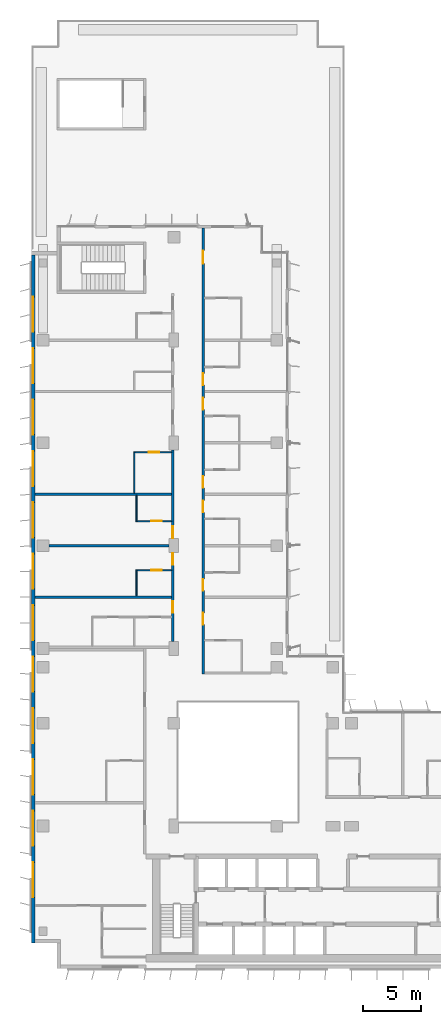
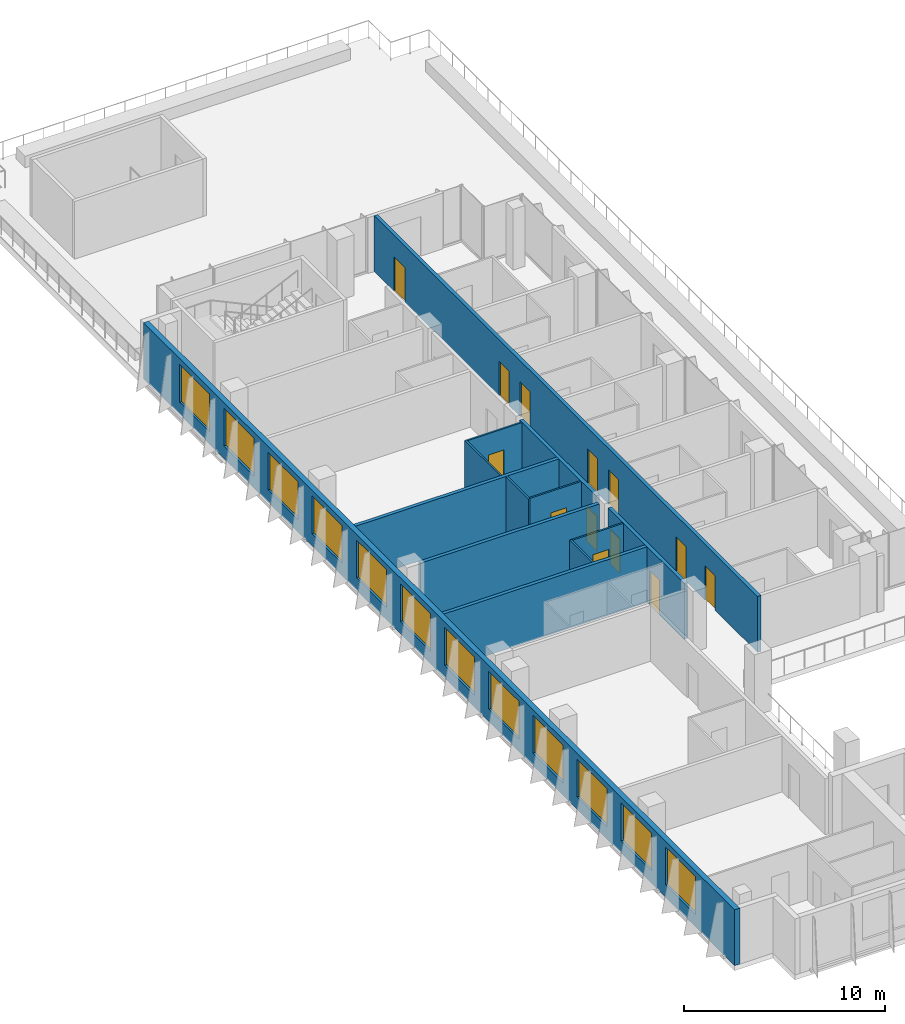
# One storey, part 15 of 22: 13 doors, 13 walls, 12 windows, 25 openings.
"""IFC4 building model written with IfcOpenShell, lengths in metres."""

from ifc_helpers import new_model, si_unit, direction, frame, frame_2d, origin, place, context, subcontext, project, spatial, rectangle, extrude, material, layer, layer_set, type_object, element, fill, save


model = new_model("IFC4")

# Units and contexts
model_context = context("Model", 3, precision=1e-05, world=origin(), true_north=direction((0.0, 1.0)))
body_context = subcontext(model_context, "Body", "Model", "MODEL_VIEW")
ifc_project = project(units=[si_unit("LENGTHUNIT", "METRE"), si_unit("AREAUNIT", "SQUARE_METRE"), si_unit("VOLUMEUNIT", "CUBIC_METRE"), si_unit("PLANEANGLEUNIT", "RADIAN"), si_unit("MASSUNIT", "GRAM", prefix="KILO")], contexts=[model_context])

# Site, building, storey
site_placement = place(None, origin())
site = spatial("IfcSite", under=ifc_project, at=site_placement, CompositionType="ELEMENT")
building_placement = place(site_placement, origin())
building = spatial("IfcBuilding", under=site, at=building_placement, Name="Kemantara Hotel Tower", CompositionType="ELEMENT")
storey_placement = place(building_placement, frame((0.0, 0.0, 153.10009765625)))
storey = spatial("IfcBuildingStorey", under=building, at=storey_placement, Name="L37", CompositionType="ELEMENT", Elevation=153.10009765625)

# Wall, openings, windows
ifc_material_1 = material(Name="Bronze anodised aluminium cladding on insulated steel stud wall", Category="steel")
ifc_layer_1 = layer(ifc_material_1, 0.300048828125)
ifc_layer_set_1 = layer_set([ifc_layer_1], Name="Bronze anodised aluminium cladding on insulated steel stud wall")
wall_type_1 = type_object("IfcWallType", Name="BRONZE METAL-CLAD EXTERNAL WALL 300", PredefinedType="STANDARD", material=ifc_layer_set_1)
wall_1_placement = place(storey_placement, frame((0.14990234375, 61.10009765625, 0.0), z_axis=(0.0, 0.0, 1.0), x_axis=(0.0, -1.0, 0.0)))
wall_1 = element("IfcWall", 1, at=wall_1_placement, inside=storey, type_object=wall_type_1, Name="EXTERNAL WALL L37 T3-R05", PredefinedType="STANDARD", context=body_context, shape_type="SweptSolid", body=[
    extrude(rectangle(XDim=58.900146484375, YDim=0.300048828125, at=frame_2d((29.4501953125, 0.0))), origin(), (0.0, 0.0, 1.0), 3.39990234375),
])
opening_1_placement = place(wall_1_placement, frame((3.60009765625, 0.0, 0.75)))
opening_1 = element("IfcOpeningElement", 2, at=opening_1_placement, cuts=wall_1, Name="Opening W1", PredefinedType="OPENING", context=body_context, shape_type="SweptSolid", body=[
    extrude(rectangle(XDim=3.0, YDim=2.300048828125, at=frame_2d((1.5, 1.14990234375))), frame((0.0, 0.159912109375, 0.0), z_axis=(0.0, -1.0, 0.0), x_axis=(1.0, 0.0, 0.0)), (0.0, 0.0, 1.0), 0.320068359375),
])
opening_2_placement = place(wall_1_placement, frame((8.0, 0.0, 0.75)))
opening_2 = element("IfcOpeningElement", 3, at=opening_2_placement, cuts=wall_1, Name="Opening W1", PredefinedType="OPENING", context=body_context, shape_type="SweptSolid", body=[
    extrude(rectangle(XDim=3.0, YDim=2.300048828125, at=frame_2d((1.5, 1.14990234375))), frame((0.0, 0.159912109375, 0.0), z_axis=(0.0, -1.0, 0.0), x_axis=(1.0, 0.0, 0.0)), (0.0, 0.0, 1.0), 0.320068359375),
])
opening_3_placement = place(wall_1_placement, frame((12.39990234375, 0.0, 0.75)))
opening_3 = element("IfcOpeningElement", 4, at=opening_3_placement, cuts=wall_1, Name="Opening W1", PredefinedType="OPENING", context=body_context, shape_type="SweptSolid", body=[
    extrude(rectangle(XDim=3.0, YDim=2.300048828125, at=frame_2d((1.5, 1.14990234375))), frame((0.0, 0.159912109375, 0.0), z_axis=(0.0, -1.0, 0.0), x_axis=(1.0, 0.0, 0.0)), (0.0, 0.0, 1.0), 0.320068359375),
])
opening_4_placement = place(wall_1_placement, frame((16.800048828125, 0.0, 0.75)))
opening_4 = element("IfcOpeningElement", 5, at=opening_4_placement, cuts=wall_1, Name="Opening W1", PredefinedType="OPENING", context=body_context, shape_type="SweptSolid", body=[
    extrude(rectangle(XDim=3.0, YDim=2.300048828125, at=frame_2d((1.5, 1.14990234375))), frame((0.0, 0.159912109375, 0.0), z_axis=(0.0, -1.0, 0.0), x_axis=(1.0, 0.0, 0.0)), (0.0, 0.0, 1.0), 0.320068359375),
])
opening_5_placement = place(wall_1_placement, frame((21.199951171875, 0.0, 0.75)))
opening_5 = element("IfcOpeningElement", 6, at=opening_5_placement, cuts=wall_1, Name="Opening W1", PredefinedType="OPENING", context=body_context, shape_type="SweptSolid", body=[
    extrude(rectangle(XDim=3.0, YDim=2.300048828125, at=frame_2d((1.5, 1.14990234375))), frame((0.0, 0.159912109375, 0.0), z_axis=(0.0, -1.0, 0.0), x_axis=(1.0, 0.0, 0.0)), (0.0, 0.0, 1.0), 0.320068359375),
])
opening_6_placement = place(wall_1_placement, frame((25.60009765625, 0.0, 0.75)))
opening_6 = element("IfcOpeningElement", 7, at=opening_6_placement, cuts=wall_1, Name="Opening W1", PredefinedType="OPENING", context=body_context, shape_type="SweptSolid", body=[
    extrude(rectangle(XDim=3.0, YDim=2.300048828125, at=frame_2d((1.5, 1.14990234375))), frame((0.0, 0.159912109375, 0.0), z_axis=(0.0, -1.0, 0.0), x_axis=(1.0, 0.0, 0.0)), (0.0, 0.0, 1.0), 0.320068359375),
])
opening_7_placement = place(wall_1_placement, frame((30.0, 0.0, 0.75)))
opening_7 = element("IfcOpeningElement", 8, at=opening_7_placement, cuts=wall_1, Name="Opening W1", PredefinedType="OPENING", context=body_context, shape_type="SweptSolid", body=[
    extrude(rectangle(XDim=3.0, YDim=2.300048828125, at=frame_2d((1.5, 1.14990234375))), frame((0.0, 0.159912109375, 0.0), z_axis=(0.0, -1.0, 0.0), x_axis=(1.0, 0.0, 0.0)), (0.0, 0.0, 1.0), 0.320068359375),
])
opening_8_placement = place(wall_1_placement, frame((34.39990234375, 0.0, 0.75)))
opening_8 = element("IfcOpeningElement", 9, at=opening_8_placement, cuts=wall_1, Name="Opening W1", PredefinedType="OPENING", context=body_context, shape_type="SweptSolid", body=[
    extrude(rectangle(XDim=3.0, YDim=2.300048828125, at=frame_2d((1.5, 1.14990234375))), frame((0.0, 0.159912109375, 0.0), z_axis=(0.0, -1.0, 0.0), x_axis=(1.0, 0.0, 0.0)), (0.0, 0.0, 1.0), 0.320068359375),
])
opening_9_placement = place(wall_1_placement, frame((38.800048828125, 0.0, 0.75)))
opening_9 = element("IfcOpeningElement", 10, at=opening_9_placement, cuts=wall_1, Name="Opening W1", PredefinedType="OPENING", context=body_context, shape_type="SweptSolid", body=[
    extrude(rectangle(XDim=3.0, YDim=2.300048828125, at=frame_2d((1.5, 1.14990234375))), frame((0.0, 0.159912109375, 0.0), z_axis=(0.0, -1.0, 0.0), x_axis=(1.0, 0.0, 0.0)), (0.0, 0.0, 1.0), 0.320068359375),
])
opening_10_placement = place(wall_1_placement, frame((43.199951171875, 0.0, 0.75)))
opening_10 = element("IfcOpeningElement", 11, at=opening_10_placement, cuts=wall_1, Name="Opening W1", PredefinedType="OPENING", context=body_context, shape_type="SweptSolid", body=[
    extrude(rectangle(XDim=3.0, YDim=2.300048828125, at=frame_2d((1.5, 1.14990234375))), frame((0.0, 0.159912109375, 0.0), z_axis=(0.0, -1.0, 0.0), x_axis=(1.0, 0.0, 0.0)), (0.0, 0.0, 1.0), 0.320068359375),
])
opening_11_placement = place(wall_1_placement, frame((47.60009765625, 0.0, 0.75)))
opening_11 = element("IfcOpeningElement", 12, at=opening_11_placement, cuts=wall_1, Name="Opening W1", PredefinedType="OPENING", context=body_context, shape_type="SweptSolid", body=[
    extrude(rectangle(XDim=3.0, YDim=2.300048828125, at=frame_2d((1.5, 1.14990234375))), frame((0.0, 0.159912109375, 0.0), z_axis=(0.0, -1.0, 0.0), x_axis=(1.0, 0.0, 0.0)), (0.0, 0.0, 1.0), 0.320068359375),
])
opening_12_placement = place(wall_1_placement, frame((52.0, 0.0, 0.75)))
opening_12 = element("IfcOpeningElement", 13, at=opening_12_placement, cuts=wall_1, Name="Opening W1", PredefinedType="OPENING", context=body_context, shape_type="SweptSolid", body=[
    extrude(rectangle(XDim=3.0, YDim=2.300048828125, at=frame_2d((1.5, 1.14990234375))), frame((0.0, 0.159912109375, 0.0), z_axis=(0.0, -1.0, 0.0), x_axis=(1.0, 0.0, 0.0)), (0.0, 0.0, 1.0), 0.320068359375),
])
ifc_material_2 = material(Name="Low-E tinted double insulated glass in bronze anodised aluminium frame", Category="aluminium")
window_type = type_object("IfcWindowType", Name="CHICAGO WINDOW, TRIPLE PANEL 3000x2300", PartitioningType="TRIPLE_PANEL_VERTICAL", PredefinedType="WINDOW", material=ifc_material_2)
window_1_placement = place(opening_1_placement, origin())
window_1 = element("IfcWindow", 14, at=window_1_placement, inside=storey, type_object=window_type, Name="CHICAGO WINDOW L37 T3-R05-54", OverallHeight=2.300048828125, OverallWidth=3.0, PartitioningType="SINGLE_PANEL", PredefinedType="WINDOW", context=body_context, shape_type="SweptSolid", body=[
    extrude(rectangle(XDim=3.0, YDim=2.300048828125, at=frame_2d((1.5, 1.14990234375))), frame((0.0, 0.030029296875, 0.0), z_axis=(0.0, -1.0, 0.0), x_axis=(1.0, 0.0, 0.0)), (0.0, 0.0, 1.0), 0.06005859375),
])
fill(opening_1, window_1)
window_2_placement = place(opening_2_placement, origin())
window_2 = element("IfcWindow", 15, at=window_2_placement, inside=storey, type_object=window_type, Name="CHICAGO WINDOW L37 T3-R05-98", OverallHeight=2.300048828125, OverallWidth=3.0, PartitioningType="SINGLE_PANEL", PredefinedType="WINDOW", context=body_context, shape_type="SweptSolid", body=[
    extrude(rectangle(XDim=3.0, YDim=2.300048828125, at=frame_2d((1.5, 1.14990234375))), frame((0.0, 0.030029296875, 0.0), z_axis=(0.0, -1.0, 0.0), x_axis=(1.0, 0.0, 0.0)), (0.0, 0.0, 1.0), 0.06005859375),
])
fill(opening_2, window_2)
window_3_placement = place(opening_3_placement, origin())
window_3 = element("IfcWindow", 16, at=window_3_placement, inside=storey, type_object=window_type, Name="CHICAGO WINDOW L37 T3-R05-142", OverallHeight=2.300048828125, OverallWidth=3.0, PartitioningType="SINGLE_PANEL", PredefinedType="WINDOW", context=body_context, shape_type="SweptSolid", body=[
    extrude(rectangle(XDim=3.0, YDim=2.300048828125, at=frame_2d((1.5, 1.14990234375))), frame((0.0, 0.030029296875, 0.0), z_axis=(0.0, -1.0, 0.0), x_axis=(1.0, 0.0, 0.0)), (0.0, 0.0, 1.0), 0.06005859375),
])
fill(opening_3, window_3)
window_4_placement = place(opening_4_placement, origin())
window_4 = element("IfcWindow", 17, at=window_4_placement, inside=storey, type_object=window_type, Name="CHICAGO WINDOW L37 T3-R05-186", OverallHeight=2.300048828125, OverallWidth=3.0, PartitioningType="SINGLE_PANEL", PredefinedType="WINDOW", context=body_context, shape_type="SweptSolid", body=[
    extrude(rectangle(XDim=3.0, YDim=2.300048828125, at=frame_2d((1.5, 1.14990234375))), frame((0.0, 0.030029296875, 0.0), z_axis=(0.0, -1.0, 0.0), x_axis=(1.0, 0.0, 0.0)), (0.0, 0.0, 1.0), 0.06005859375),
])
fill(opening_4, window_4)
window_5_placement = place(opening_5_placement, origin())
window_5 = element("IfcWindow", 18, at=window_5_placement, inside=storey, type_object=window_type, Name="CHICAGO WINDOW L37 T3-R05-230", OverallHeight=2.300048828125, OverallWidth=3.0, PartitioningType="SINGLE_PANEL", PredefinedType="WINDOW", context=body_context, shape_type="SweptSolid", body=[
    extrude(rectangle(XDim=3.0, YDim=2.300048828125, at=frame_2d((1.5, 1.14990234375))), frame((0.0, 0.030029296875, 0.0), z_axis=(0.0, -1.0, 0.0), x_axis=(1.0, 0.0, 0.0)), (0.0, 0.0, 1.0), 0.06005859375),
])
fill(opening_5, window_5)
window_6_placement = place(opening_6_placement, origin())
window_6 = element("IfcWindow", 19, at=window_6_placement, inside=storey, type_object=window_type, Name="CHICAGO WINDOW L37 T3-R05-274", OverallHeight=2.300048828125, OverallWidth=3.0, PartitioningType="SINGLE_PANEL", PredefinedType="WINDOW", context=body_context, shape_type="SweptSolid", body=[
    extrude(rectangle(XDim=3.0, YDim=2.300048828125, at=frame_2d((1.5, 1.14990234375))), frame((0.0, 0.030029296875, 0.0), z_axis=(0.0, -1.0, 0.0), x_axis=(1.0, 0.0, 0.0)), (0.0, 0.0, 1.0), 0.06005859375),
])
fill(opening_6, window_6)
window_7_placement = place(opening_7_placement, origin())
window_7 = element("IfcWindow", 20, at=window_7_placement, inside=storey, type_object=window_type, Name="CHICAGO WINDOW L37 T3-R05-318", OverallHeight=2.300048828125, OverallWidth=3.0, PartitioningType="SINGLE_PANEL", PredefinedType="WINDOW", context=body_context, shape_type="SweptSolid", body=[
    extrude(rectangle(XDim=3.0, YDim=2.300048828125, at=frame_2d((1.5, 1.14990234375))), frame((0.0, 0.030029296875, 0.0), z_axis=(0.0, -1.0, 0.0), x_axis=(1.0, 0.0, 0.0)), (0.0, 0.0, 1.0), 0.06005859375),
])
fill(opening_7, window_7)
window_8_placement = place(opening_8_placement, origin())
window_8 = element("IfcWindow", 21, at=window_8_placement, inside=storey, type_object=window_type, Name="CHICAGO WINDOW L37 T3-R05-362", OverallHeight=2.300048828125, OverallWidth=3.0, PartitioningType="SINGLE_PANEL", PredefinedType="WINDOW", context=body_context, shape_type="SweptSolid", body=[
    extrude(rectangle(XDim=3.0, YDim=2.300048828125, at=frame_2d((1.5, 1.14990234375))), frame((0.0, 0.030029296875, 0.0), z_axis=(0.0, -1.0, 0.0), x_axis=(1.0, 0.0, 0.0)), (0.0, 0.0, 1.0), 0.06005859375),
])
fill(opening_8, window_8)
window_9_placement = place(opening_9_placement, origin())
window_9 = element("IfcWindow", 22, at=window_9_placement, inside=storey, type_object=window_type, Name="CHICAGO WINDOW L37 T3-R05-406", OverallHeight=2.300048828125, OverallWidth=3.0, PartitioningType="SINGLE_PANEL", PredefinedType="WINDOW", context=body_context, shape_type="SweptSolid", body=[
    extrude(rectangle(XDim=3.0, YDim=2.300048828125, at=frame_2d((1.5, 1.14990234375))), frame((0.0, 0.030029296875, 0.0), z_axis=(0.0, -1.0, 0.0), x_axis=(1.0, 0.0, 0.0)), (0.0, 0.0, 1.0), 0.06005859375),
])
fill(opening_9, window_9)
window_10_placement = place(opening_10_placement, origin())
window_10 = element("IfcWindow", 23, at=window_10_placement, inside=storey, type_object=window_type, Name="CHICAGO WINDOW L37 T3-R05-450", OverallHeight=2.300048828125, OverallWidth=3.0, PartitioningType="SINGLE_PANEL", PredefinedType="WINDOW", context=body_context, shape_type="SweptSolid", body=[
    extrude(rectangle(XDim=3.0, YDim=2.300048828125, at=frame_2d((1.5, 1.14990234375))), frame((0.0, 0.030029296875, 0.0), z_axis=(0.0, -1.0, 0.0), x_axis=(1.0, 0.0, 0.0)), (0.0, 0.0, 1.0), 0.06005859375),
])
fill(opening_10, window_10)
window_11_placement = place(opening_11_placement, origin())
window_11 = element("IfcWindow", 24, at=window_11_placement, inside=storey, type_object=window_type, Name="CHICAGO WINDOW L37 T3-R05-494", OverallHeight=2.300048828125, OverallWidth=3.0, PartitioningType="SINGLE_PANEL", PredefinedType="WINDOW", context=body_context, shape_type="SweptSolid", body=[
    extrude(rectangle(XDim=3.0, YDim=2.300048828125, at=frame_2d((1.5, 1.14990234375))), frame((0.0, 0.030029296875, 0.0), z_axis=(0.0, -1.0, 0.0), x_axis=(1.0, 0.0, 0.0)), (0.0, 0.0, 1.0), 0.06005859375),
])
fill(opening_11, window_11)
window_12_placement = place(opening_12_placement, origin())
window_12 = element("IfcWindow", 25, at=window_12_placement, inside=storey, type_object=window_type, Name="CHICAGO WINDOW L37 T3-R05-538", OverallHeight=2.300048828125, OverallWidth=3.0, PartitioningType="SINGLE_PANEL", PredefinedType="WINDOW", context=body_context, shape_type="SweptSolid", body=[
    extrude(rectangle(XDim=3.0, YDim=2.300048828125, at=frame_2d((1.5, 1.14990234375))), frame((0.0, 0.030029296875, 0.0), z_axis=(0.0, -1.0, 0.0), x_axis=(1.0, 0.0, 0.0)), (0.0, 0.0, 1.0), 0.06005859375),
])
fill(opening_12, window_12)

# Wall, openings, doors
ifc_material_3 = material(Name="Gypsum board partition, steel studs and mineral wool, 200 mm", Category="steel")
ifc_layer_2 = layer(ifc_material_3, 0.199951171875)
ifc_layer_set_2 = layer_set([ifc_layer_2], Name="Gypsum board partition, steel studs and mineral wool, 200 mm")
wall_type_2 = type_object("IfcWallType", Name="CORRIDOR WALL 200", PredefinedType="PARTITIONING", material=ifc_layer_set_2)
wall_2_placement = place(storey_placement, frame((12.10009765625, 28.0, 0.0), z_axis=(0.0, 0.0, 1.0), x_axis=(0.0, 1.0, 0.0)))
wall_2 = element("IfcWall", 26, at=wall_2_placement, inside=storey, type_object=wall_type_2, Name="CORRIDOR WALL 200 017", PredefinedType="PARTITIONING", context=body_context, shape_type="SweptSolid", body=[
    extrude(rectangle(XDim=7.599853515625, YDim=0.199951171875, at=frame_2d((3.7998046875, 0.0))), origin(), (0.0, 0.0, 1.0), 3.39990234375),
])
opening_13_placement = place(wall_2_placement, frame((2.449951171875, 0.0, 0.0)))
opening_13 = element("IfcOpeningElement", 27, at=opening_13_placement, cuts=wall_2, Name="Opening F17-025", PredefinedType="OPENING", context=body_context, shape_type="SweptSolid", body=[
    extrude(rectangle(XDim=1.0, YDim=2.10009765625, at=frame_2d((0.5, 1.050048828125))), frame((0.0, 0.10986328125, 0.0), z_axis=(0.0, -1.0, 0.0), x_axis=(1.0, 0.0, 0.0)), (0.0, 0.0, 1.0), 0.219970703125),
])
opening_14_placement = place(wall_2_placement, frame((6.5498046875, 0.0, 0.0)))
opening_14 = element("IfcOpeningElement", 28, at=opening_14_placement, cuts=wall_2, Name="Opening F17-028", PredefinedType="OPENING", context=body_context, shape_type="SweptSolid", body=[
    extrude(rectangle(XDim=1.0, YDim=2.10009765625, at=frame_2d((0.5, 1.050048828125))), frame((0.0, 0.10986328125, 0.0), z_axis=(0.0, -1.0, 0.0), x_axis=(1.0, 0.0, 0.0)), (0.0, 0.0, 1.0), 0.219970703125),
])
ifc_material_4 = material(Name="Hardwood veneer door leaf with steel frame", Category="steel")
door_type_1 = type_object("IfcDoorType", Name="GUEST ROOM DOOR 1000 X 2100 FD30S", OperationType="NOTDEFINED", PredefinedType="DOOR", material=ifc_material_4)
door_1_placement = place(opening_13_placement, origin())
door_1 = element("IfcDoor", 29, at=door_1_placement, inside=storey, type_object=door_type_1, Name="GUEST ROOM DOOR F17-025", OperationType="SINGLE_SWING_RIGHT", OverallHeight=2.10009765625, OverallWidth=1.0, PredefinedType="DOOR", context=body_context, shape_type="SweptSolid", body=[
    extrude(rectangle(XDim=1.0, YDim=2.10009765625, at=frame_2d((0.5, 1.050048828125))), frame((0.0, 0.02490234375, 0.0), z_axis=(0.0, -1.0, 0.0), x_axis=(1.0, 0.0, 0.0)), (0.0, 0.0, 1.0), 0.050048828125),
])
fill(opening_13, door_1)
door_2_placement = place(opening_14_placement, origin())
door_2 = element("IfcDoor", 30, at=door_2_placement, inside=storey, type_object=door_type_1, Name="GUEST ROOM DOOR F17-028", OperationType="SINGLE_SWING_RIGHT", OverallHeight=2.10009765625, OverallWidth=1.0, PredefinedType="DOOR", context=body_context, shape_type="SweptSolid", body=[
    extrude(rectangle(XDim=1.0, YDim=2.10009765625, at=frame_2d((0.5, 1.050048828125))), frame((0.0, 0.02490234375, 0.0), z_axis=(0.0, -1.0, 0.0), x_axis=(1.0, 0.0, 0.0)), (0.0, 0.0, 1.0), 0.050048828125),
])
fill(opening_14, door_2)

# Wall, opening, door
wall_3_placement = place(storey_placement, frame((12.10009765625, 36.800048828125, 0.0), z_axis=(0.0, 0.0, 1.0), x_axis=(0.0, 1.0, 0.0)))
wall_3 = element("IfcWall", 31, at=wall_3_placement, inside=storey, type_object=wall_type_2, Name="CORRIDOR WALL 200 018", PredefinedType="PARTITIONING", context=body_context, shape_type="SweptSolid", body=[
    extrude(rectangle(XDim=7.599853515625, YDim=0.199951171875, at=frame_2d((3.7998046875, 0.0))), origin(), (0.0, 0.0, 1.0), 3.39990234375),
])
opening_15_placement = place(wall_3_placement, frame((0.0498046875, 0.0, 0.0)))
opening_15 = element("IfcOpeningElement", 32, at=opening_15_placement, cuts=wall_3, Name="Opening F17-030", PredefinedType="OPENING", context=body_context, shape_type="SweptSolid", body=[
    extrude(rectangle(XDim=1.0, YDim=2.10009765625, at=frame_2d((0.5, 1.050048828125))), frame((0.0, 0.10986328125, 0.0), z_axis=(0.0, -1.0, 0.0), x_axis=(1.0, 0.0, 0.0)), (0.0, 0.0, 1.0), 0.219970703125),
])
door_3_placement = place(opening_15_placement, origin())
door_3 = element("IfcDoor", 33, at=door_3_placement, inside=storey, type_object=door_type_1, Name="GUEST ROOM DOOR F17-030", OperationType="SINGLE_SWING_LEFT", OverallHeight=2.10009765625, OverallWidth=1.0, PredefinedType="DOOR", context=body_context, shape_type="SweptSolid", body=[
    extrude(rectangle(XDim=1.0, YDim=2.10009765625, at=frame_2d((0.5, 1.050048828125))), frame((0.0, 0.02490234375, 0.0), z_axis=(0.0, -1.0, 0.0), x_axis=(1.0, 0.0, 0.0)), (0.0, 0.0, 1.0), 0.050048828125),
])
fill(opening_15, door_3)

# Wall, openings, doors
wall_4_placement = place(storey_placement, frame((14.699951171875, 63.39990234375, 0.0), z_axis=(0.0, 0.0, 1.0), x_axis=(0.0, -1.0, 0.0)))
wall_4 = element("IfcWall", 34, at=wall_4_placement, inside=storey, type_object=wall_type_2, Name="CORRIDOR WALL 200 032", PredefinedType="PARTITIONING", context=body_context, shape_type="SweptSolid", body=[
    extrude(rectangle(XDim=38.199951171875, YDim=0.199951171875, at=frame_2d((19.10009765625, 0.0))), origin(), (0.0, 0.0, 1.0), 3.39990234375),
])
opening_16_placement = place(wall_4_placement, frame((32.949951171875, 0.0, 0.0)))
opening_16 = element("IfcOpeningElement", 35, at=opening_16_placement, cuts=wall_4, Name="Opening F17-038", PredefinedType="OPENING", context=body_context, shape_type="SweptSolid", body=[
    extrude(rectangle(XDim=1.0, YDim=2.10009765625, at=frame_2d((0.5, 1.050048828125))), frame((0.0, 0.10986328125, 0.0), z_axis=(0.0, -1.0, 0.0), x_axis=(1.0, 0.0, 0.0)), (0.0, 0.0, 1.0), 0.219970703125),
])
opening_17_placement = place(wall_4_placement, frame((30.0498046875, 0.0, 0.0)))
opening_17 = element("IfcOpeningElement", 36, at=opening_17_placement, cuts=wall_4, Name="Opening F17-040", PredefinedType="OPENING", context=body_context, shape_type="SweptSolid", body=[
    extrude(rectangle(XDim=1.0, YDim=2.10009765625, at=frame_2d((0.5, 1.050048828125))), frame((0.0, 0.10986328125, 0.0), z_axis=(0.0, -1.0, 0.0), x_axis=(1.0, 0.0, 0.0)), (0.0, 0.0, 1.0), 0.219970703125),
])
opening_18_placement = place(wall_4_placement, frame((23.349853515625, 0.0, 0.0)))
opening_18 = element("IfcOpeningElement", 37, at=opening_18_placement, cuts=wall_4, Name="Opening F17-042", PredefinedType="OPENING", context=body_context, shape_type="SweptSolid", body=[
    extrude(rectangle(XDim=1.0, YDim=2.10009765625, at=frame_2d((0.5, 1.050048828125))), frame((0.0, 0.10986328125, 0.0), z_axis=(0.0, -1.0, 0.0), x_axis=(1.0, 0.0, 0.0)), (0.0, 0.0, 1.0), 0.219970703125),
])
opening_19_placement = place(wall_4_placement, frame((21.25, 0.0, 0.0)))
opening_19 = element("IfcOpeningElement", 38, at=opening_19_placement, cuts=wall_4, Name="Opening F17-044", PredefinedType="OPENING", context=body_context, shape_type="SweptSolid", body=[
    extrude(rectangle(XDim=1.0, YDim=2.10009765625, at=frame_2d((0.5, 1.050048828125))), frame((0.0, 0.10986328125, 0.0), z_axis=(0.0, -1.0, 0.0), x_axis=(1.0, 0.0, 0.0)), (0.0, 0.0, 1.0), 0.219970703125),
])
opening_20_placement = place(wall_4_placement, frame((14.5498046875, 0.0, 0.0)))
opening_20 = element("IfcOpeningElement", 39, at=opening_20_placement, cuts=wall_4, Name="Opening F17-046", PredefinedType="OPENING", context=body_context, shape_type="SweptSolid", body=[
    extrude(rectangle(XDim=1.0, YDim=2.10009765625, at=frame_2d((0.5, 1.050048828125))), frame((0.0, 0.10986328125, 0.0), z_axis=(0.0, -1.0, 0.0), x_axis=(1.0, 0.0, 0.0)), (0.0, 0.0, 1.0), 0.219970703125),
])
opening_21_placement = place(wall_4_placement, frame((12.449951171875, 0.0, 0.0)))
opening_21 = element("IfcOpeningElement", 40, at=opening_21_placement, cuts=wall_4, Name="Opening F17-048", PredefinedType="OPENING", context=body_context, shape_type="SweptSolid", body=[
    extrude(rectangle(XDim=1.0, YDim=2.10009765625, at=frame_2d((0.5, 1.050048828125))), frame((0.0, 0.10986328125, 0.0), z_axis=(0.0, -1.0, 0.0), x_axis=(1.0, 0.0, 0.0)), (0.0, 0.0, 1.0), 0.219970703125),
])
opening_22_placement = place(wall_4_placement, frame((1.949951171875, 0.0, 0.0)))
opening_22 = element("IfcOpeningElement", 41, at=opening_22_placement, cuts=wall_4, Name="Opening F17-050", PredefinedType="OPENING", context=body_context, shape_type="SweptSolid", body=[
    extrude(rectangle(XDim=1.10009765625, YDim=2.10009765625, at=frame_2d((0.550048828125, 1.050048828125))), frame((0.0, 0.10986328125, 0.0), z_axis=(0.0, -1.0, 0.0), x_axis=(1.0, 0.0, 0.0)), (0.0, 0.0, 1.0), 0.219970703125),
])
door_4_placement = place(opening_16_placement, origin())
door_4 = element("IfcDoor", 42, at=door_4_placement, inside=storey, type_object=door_type_1, Name="GUEST ROOM DOOR F17-038", OperationType="SINGLE_SWING_LEFT", OverallHeight=2.10009765625, OverallWidth=1.0, PredefinedType="DOOR", context=body_context, shape_type="SweptSolid", body=[
    extrude(rectangle(XDim=1.0, YDim=2.10009765625, at=frame_2d((0.5, 1.050048828125))), frame((0.0, 0.02490234375, 0.0), z_axis=(0.0, -1.0, 0.0), x_axis=(1.0, 0.0, 0.0)), (0.0, 0.0, 1.0), 0.050048828125),
])
fill(opening_16, door_4)
door_5_placement = place(opening_17_placement, origin())
door_5 = element("IfcDoor", 43, at=door_5_placement, inside=storey, type_object=door_type_1, Name="GUEST ROOM DOOR F17-040", OperationType="SINGLE_SWING_RIGHT", OverallHeight=2.10009765625, OverallWidth=1.0, PredefinedType="DOOR", context=body_context, shape_type="SweptSolid", body=[
    extrude(rectangle(XDim=1.0, YDim=2.10009765625, at=frame_2d((0.5, 1.050048828125))), frame((0.0, 0.02490234375, 0.0), z_axis=(0.0, -1.0, 0.0), x_axis=(1.0, 0.0, 0.0)), (0.0, 0.0, 1.0), 0.050048828125),
])
fill(opening_17, door_5)
door_6_placement = place(opening_18_placement, origin())
door_6 = element("IfcDoor", 44, at=door_6_placement, inside=storey, type_object=door_type_1, Name="GUEST ROOM DOOR F17-042", OperationType="SINGLE_SWING_LEFT", OverallHeight=2.10009765625, OverallWidth=1.0, PredefinedType="DOOR", context=body_context, shape_type="SweptSolid", body=[
    extrude(rectangle(XDim=1.0, YDim=2.10009765625, at=frame_2d((0.5, 1.050048828125))), frame((0.0, 0.02490234375, 0.0), z_axis=(0.0, -1.0, 0.0), x_axis=(1.0, 0.0, 0.0)), (0.0, 0.0, 1.0), 0.050048828125),
])
fill(opening_18, door_6)
door_7_placement = place(opening_19_placement, origin())
door_7 = element("IfcDoor", 45, at=door_7_placement, inside=storey, type_object=door_type_1, Name="GUEST ROOM DOOR F17-044", OperationType="SINGLE_SWING_RIGHT", OverallHeight=2.10009765625, OverallWidth=1.0, PredefinedType="DOOR", context=body_context, shape_type="SweptSolid", body=[
    extrude(rectangle(XDim=1.0, YDim=2.10009765625, at=frame_2d((0.5, 1.050048828125))), frame((0.0, 0.02490234375, 0.0), z_axis=(0.0, -1.0, 0.0), x_axis=(1.0, 0.0, 0.0)), (0.0, 0.0, 1.0), 0.050048828125),
])
fill(opening_19, door_7)
door_8_placement = place(opening_20_placement, origin())
door_8 = element("IfcDoor", 46, at=door_8_placement, inside=storey, type_object=door_type_1, Name="GUEST ROOM DOOR F17-046", OperationType="SINGLE_SWING_LEFT", OverallHeight=2.10009765625, OverallWidth=1.0, PredefinedType="DOOR", context=body_context, shape_type="SweptSolid", body=[
    extrude(rectangle(XDim=1.0, YDim=2.10009765625, at=frame_2d((0.5, 1.050048828125))), frame((0.0, 0.02490234375, 0.0), z_axis=(0.0, -1.0, 0.0), x_axis=(1.0, 0.0, 0.0)), (0.0, 0.0, 1.0), 0.050048828125),
])
fill(opening_20, door_8)
door_9_placement = place(opening_21_placement, origin())
door_9 = element("IfcDoor", 47, at=door_9_placement, inside=storey, type_object=door_type_1, Name="GUEST ROOM DOOR F17-048", OperationType="SINGLE_SWING_RIGHT", OverallHeight=2.10009765625, OverallWidth=1.0, PredefinedType="DOOR", context=body_context, shape_type="SweptSolid", body=[
    extrude(rectangle(XDim=1.0, YDim=2.10009765625, at=frame_2d((0.5, 1.050048828125))), frame((0.0, 0.02490234375, 0.0), z_axis=(0.0, -1.0, 0.0), x_axis=(1.0, 0.0, 0.0)), (0.0, 0.0, 1.0), 0.050048828125),
])
fill(opening_21, door_9)
door_type_2 = type_object("IfcDoorType", Name="SUITE ENTRANCE DOOR 1100 X 2100 FD30S", OperationType="NOTDEFINED", PredefinedType="DOOR", material=ifc_material_4)
door_10_placement = place(opening_22_placement, origin())
door_10 = element("IfcDoor", 48, at=door_10_placement, inside=storey, type_object=door_type_2, Name="SUITE ENTRANCE DOOR F17-050", OperationType="SINGLE_SWING_LEFT", OverallHeight=2.10009765625, OverallWidth=1.10009765625, PredefinedType="DOOR", context=body_context, shape_type="SweptSolid", body=[
    extrude(rectangle(XDim=1.10009765625, YDim=2.10009765625, at=frame_2d((0.550048828125, 1.050048828125))), frame((0.0, 0.02490234375, 0.0), z_axis=(0.0, -1.0, 0.0), x_axis=(1.0, 0.0, 0.0)), (0.0, 0.0, 1.0), 0.050048828125),
])
fill(opening_22, door_10)

# Walls
ifc_layer_3 = layer(ifc_material_3, 0.199951171875)
ifc_layer_set_3 = layer_set([ifc_layer_3], Name="Gypsum board partition, steel studs and mineral wool, 200 mm")
wall_type_3 = type_object("IfcWallType", Name="GUEST ROOM PARTY WALL 200", PredefinedType="PARTITIONING", material=ifc_layer_set_3)
wall_5_placement = place(storey_placement, frame((0.31005859375, 31.800048828125, 0.0), z_axis=(0.0, 0.0, 1.0), x_axis=(1.0, 0.0, 0.0)))
element("IfcWall", 49, at=wall_5_placement, inside=storey, type_object=wall_type_3, Name="GUEST ROOM PARTY WALL 200 022", PredefinedType="PARTITIONING", context=body_context, shape_type="SweptSolid", body=[
    extrude(rectangle(XDim=11.68994140625, YDim=0.199951171875, at=frame_2d((5.844970703125, 0.0))), origin(), (0.0, 0.0, 1.0), 3.39990234375),
])
wall_6_placement = place(storey_placement, frame((1.5, 36.199951171875, 0.0), z_axis=(0.0, 0.0, 1.0), x_axis=(1.0, 0.0, 0.0)))
element("IfcWall", 50, at=wall_6_placement, inside=storey, type_object=wall_type_3, Name="GUEST ROOM PARTY WALL 200 024", PredefinedType="PARTITIONING", context=body_context, shape_type="SweptSolid", body=[
    extrude(rectangle(XDim=10.2998046875, YDim=0.199951171875, at=frame_2d((5.14990234375, 0.0))), origin(), (0.0, 0.0, 1.0), 3.39990234375),
])
wall_7_placement = place(storey_placement, frame((0.31005859375, 40.60009765625, 0.0), z_axis=(0.0, 0.0, 1.0), x_axis=(1.0, 0.0, 0.0)))
element("IfcWall", 51, at=wall_7_placement, inside=storey, type_object=wall_type_3, Name="GUEST ROOM PARTY WALL 200 026", PredefinedType="PARTITIONING", context=body_context, shape_type="SweptSolid", body=[
    extrude(rectangle(XDim=11.68994140625, YDim=0.199951171875, at=frame_2d((5.844970703125, 0.0))), origin(), (0.0, 0.0, 1.0), 3.39990234375),
])
ifc_material_5 = material(Name="Gypsum board partition on steel studs, 100 mm", Category="steel")
ifc_layer_4 = layer(ifc_material_5, 0.10009765625)
ifc_layer_set_4 = layer_set([ifc_layer_4], Name="Gypsum board partition on steel studs, 100 mm")
wall_type_4 = type_object("IfcWallType", Name="ROOM PARTITION 100", PredefinedType="PARTITIONING", material=ifc_layer_set_4)
wall_8_placement = place(storey_placement, frame((8.800048828125, 40.699951171875, 0.0), z_axis=(0.0, 0.0, 1.0), x_axis=(0.0, 1.0, 0.0)))
element("IfcWall", 52, at=wall_8_placement, inside=storey, type_object=wall_type_4, Name="ROOM PARTITION 100 063", PredefinedType="PARTITIONING", context=body_context, shape_type="SweptSolid", body=[
    extrude(rectangle(XDim=3.550048828125, YDim=0.10009765625, at=frame_2d((1.77490234375, 0.0))), origin(), (0.0, 0.0, 1.0), 3.39990234375),
])
for number, where, z_axis, x_axis, name in (
    (53, (9.0, 31.89990234375, 0.0), (0.0, 0.0, 1.0), (0.0, 1.0, 0.0), "ROOM PARTITION 100 066"),
    (54, (9.0, 38.25, 0.0), (0.0, 0.0, 1.0), (0.0, 1.0, 0.0), "ROOM PARTITION 100 067"),
):
    element("IfcWall", number, at=place(storey_placement, frame(where, z_axis=z_axis, x_axis=x_axis)), inside=storey, type_object=wall_type_4, Name=name, PredefinedType="PARTITIONING", context=body_context, shape_type="SweptSolid", body=[
        extrude(rectangle(XDim=2.25, YDim=0.10009765625, at=frame_2d((1.125, 0.0))), origin(), (0.0, 0.0, 1.0), 3.39990234375),
    ])

# Wall, opening, door
wall_9_placement = place(storey_placement, frame((12.0, 34.10009765625, 0.0), z_axis=(0.0, 0.0, 1.0), x_axis=(-1.0, 0.0, 0.0)))
wall_9 = element("IfcWall", 55, at=wall_9_placement, inside=storey, type_object=wall_type_4, Name="ROOM PARTITION 100 069", PredefinedType="PARTITIONING", context=body_context, shape_type="SweptSolid", body=[
    extrude(rectangle(XDim=2.949951171875, YDim=0.10009765625, at=frame_2d((1.47509765625, 0.0))), origin(), (0.0, 0.0, 1.0), 3.39990234375),
])
opening_23_placement = place(wall_9_placement, frame((0.85009765625, 0.0, 0.0)))
opening_23 = element("IfcOpeningElement", 56, at=opening_23_placement, cuts=wall_9, Name="Opening F17-029", PredefinedType="OPENING", context=body_context, shape_type="SweptSolid", body=[
    extrude(rectangle(XDim=0.89990234375, YDim=2.10009765625, at=frame_2d((0.449951171875, 1.050048828125))), frame((0.0, 0.06005859375, 0.0), z_axis=(0.0, -1.0, 0.0), x_axis=(1.0, 0.0, 0.0)), (0.0, 0.0, 1.0), 0.1201171875),
])
door_type_3 = type_object("IfcDoorType", Name="BATHROOM DOOR 900 X 2100", OperationType="NOTDEFINED", PredefinedType="DOOR", material=ifc_material_4)
door_11_placement = place(opening_23_placement, origin())
door_11 = element("IfcDoor", 57, at=door_11_placement, inside=storey, type_object=door_type_3, Name="BATHROOM DOOR F17-029", OperationType="SINGLE_SWING_LEFT", OverallHeight=2.10009765625, OverallWidth=0.89990234375, PredefinedType="DOOR", context=body_context, shape_type="SweptSolid", body=[
    extrude(rectangle(XDim=0.89990234375, YDim=2.10009765625, at=frame_2d((0.449951171875, 1.050048828125))), frame((0.0, 0.02490234375, 0.0), z_axis=(0.0, -1.0, 0.0), x_axis=(1.0, 0.0, 0.0)), (0.0, 0.0, 1.0), 0.050048828125),
])
fill(opening_23, door_11)

wall_10_placement = place(storey_placement, frame((9.050048828125, 38.300048828125, 0.0), z_axis=(0.0, 0.0, 1.0), x_axis=(1.0, 0.0, 0.0)))
wall_10 = element("IfcWall", 58, at=wall_10_placement, inside=storey, type_object=wall_type_4, Name="ROOM PARTITION 100 070", PredefinedType="PARTITIONING", context=body_context, shape_type="SweptSolid", body=[
    extrude(rectangle(XDim=2.949951171875, YDim=0.10009765625, at=frame_2d((1.47509765625, 0.0))), origin(), (0.0, 0.0, 1.0), 3.39990234375),
])
opening_24_placement = place(wall_10_placement, frame((1.199951171875, 0.0, 0.0)))
opening_24 = element("IfcOpeningElement", 59, at=opening_24_placement, cuts=wall_10, Name="Opening F17-031", PredefinedType="OPENING", context=body_context, shape_type="SweptSolid", body=[
    extrude(rectangle(XDim=0.89990234375, YDim=2.10009765625, at=frame_2d((0.449951171875, 1.050048828125))), frame((0.0, 0.06005859375, 0.0), z_axis=(0.0, -1.0, 0.0), x_axis=(1.0, 0.0, 0.0)), (0.0, 0.0, 1.0), 0.1201171875),
])
door_12_placement = place(opening_24_placement, origin())
door_12 = element("IfcDoor", 60, at=door_12_placement, inside=storey, type_object=door_type_3, Name="BATHROOM DOOR F17-031", OperationType="SINGLE_SWING_RIGHT", OverallHeight=2.10009765625, OverallWidth=0.89990234375, PredefinedType="DOOR", context=body_context, shape_type="SweptSolid", body=[
    extrude(rectangle(XDim=0.89990234375, YDim=2.10009765625, at=frame_2d((0.449951171875, 1.050048828125))), frame((0.0, 0.02490234375, 0.0), z_axis=(0.0, -1.0, 0.0), x_axis=(1.0, 0.0, 0.0)), (0.0, 0.0, 1.0), 0.050048828125),
])
fill(opening_24, door_12)

wall_11_placement = place(storey_placement, frame((12.0, 44.199951171875, 0.0), z_axis=(0.0, 0.0, 1.0), x_axis=(-1.0, 0.0, 0.0)))
wall_11 = element("IfcWall", 61, at=wall_11_placement, inside=storey, type_object=wall_type_4, Name="ROOM PARTITION 100 071", PredefinedType="PARTITIONING", context=body_context, shape_type="SweptSolid", body=[
    extrude(rectangle(XDim=3.14990234375, YDim=0.10009765625, at=frame_2d((1.574951171875, 0.0))), origin(), (0.0, 0.0, 1.0), 3.39990234375),
])
opening_25_placement = place(wall_11_placement, frame((1.050048828125, 0.0, 0.0)))
opening_25 = element("IfcOpeningElement", 62, at=opening_25_placement, cuts=wall_11, Name="Opening F17-033", PredefinedType="OPENING", context=body_context, shape_type="SweptSolid", body=[
    extrude(rectangle(XDim=0.89990234375, YDim=2.10009765625, at=frame_2d((0.449951171875, 1.050048828125))), frame((0.0, 0.06005859375, 0.0), z_axis=(0.0, -1.0, 0.0), x_axis=(1.0, 0.0, 0.0)), (0.0, 0.0, 1.0), 0.1201171875),
])
door_13_placement = place(opening_25_placement, origin())
door_13 = element("IfcDoor", 63, at=door_13_placement, inside=storey, type_object=door_type_3, Name="BATHROOM DOOR F17-033", OperationType="SINGLE_SWING_LEFT", OverallHeight=2.10009765625, OverallWidth=0.89990234375, PredefinedType="DOOR", context=body_context, shape_type="SweptSolid", body=[
    extrude(rectangle(XDim=0.89990234375, YDim=2.10009765625, at=frame_2d((0.449951171875, 1.050048828125))), frame((0.0, 0.02490234375, 0.0), z_axis=(0.0, -1.0, 0.0), x_axis=(1.0, 0.0, 0.0)), (0.0, 0.0, 1.0), 0.050048828125),
])
fill(opening_25, door_13)

save(model, "model.ifc")
